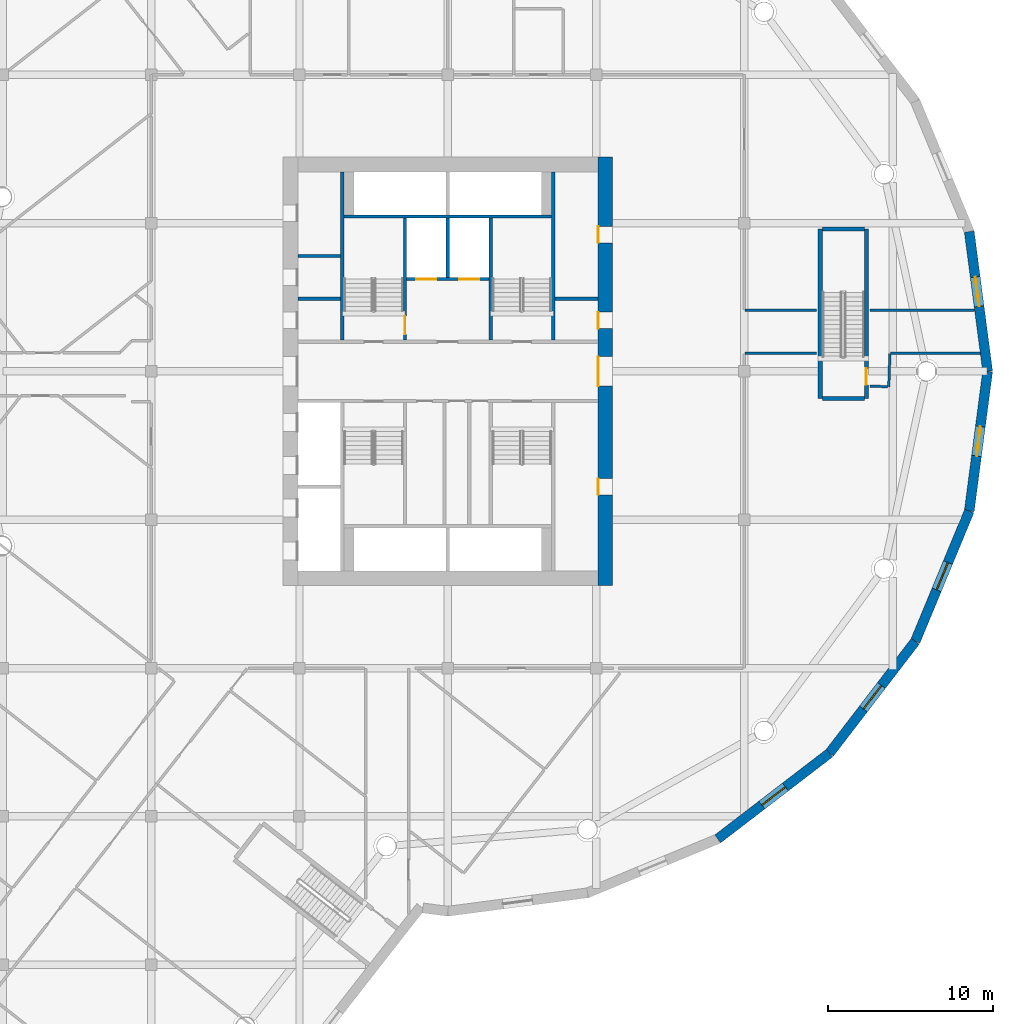
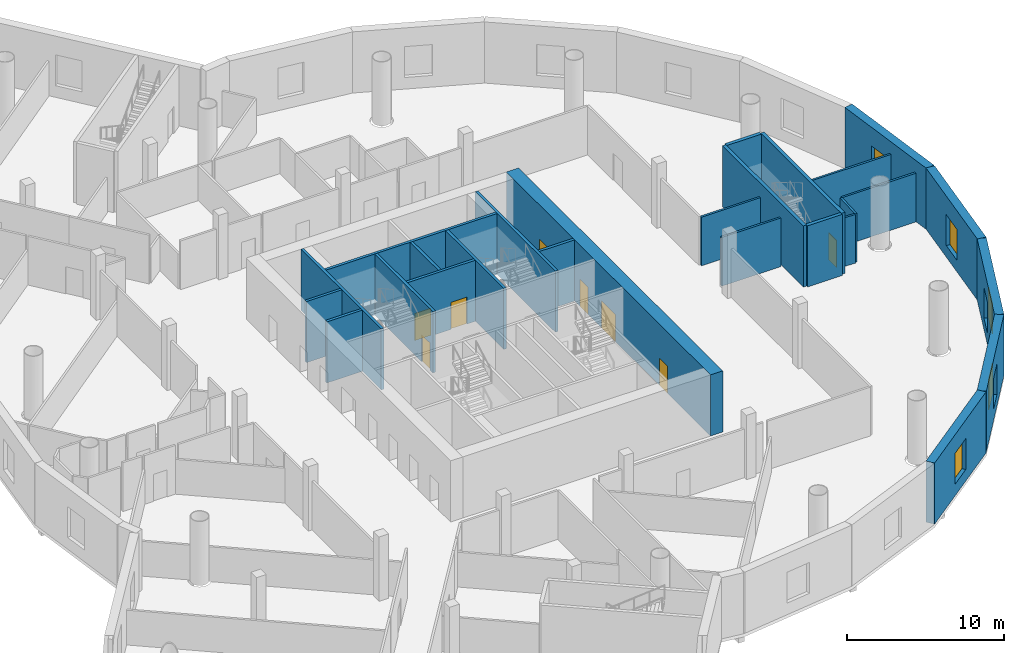
# One storey, part 8 of 22: 26 walls, 8 doors, 5 windows, 13 openings.
"""IFC4 building model written with IfcOpenShell, lengths in metres."""

import ifcopenshell
import ifcopenshell.guid

model = None  # the IFC model being written
_history = None  # IfcOwnerHistory: only IFC2X3 demands one
_inside = {}  # id of a spatial element -> (the spatial element, [elements in it])
_under = {}  # id of a project, library or spatial element -> (it, [spatial elements below it])
_declared = {}  # id of a project -> (the project, [libraries it declares])
_typed = {}  # id of a type object -> (the type object, [elements of that type])
_made_of = {}  # id of a material, layer set ... -> (it, [elements and type objects made of it])


def new_model(schema):
    """Start an empty IFC model of exactly this schema.

    Asked for "IFC4X3", IfcOpenShell would pick the latest addendum, in which some entities
    have other attributes; the version numbers below select the first issue.
    IFC2X3 requires an IfcOwnerHistory on every rooted entity: one is made here for all.
    """
    global model, _history
    if schema == "IFC4X3":
        model = ifcopenshell.file(schema_version=(4, 3, 0, 0))
    else:
        model = ifcopenshell.file(schema=schema)
    _inside.clear()
    _under.clear()
    _declared.clear()
    _typed.clear()
    _made_of.clear()
    _history = None
    if model.schema == "IFC2X3":
        org = make("IfcOrganization", Name="unknown")
        user = make(
            "IfcPersonAndOrganization",
            ThePerson=make("IfcPerson", FamilyName="unknown"),
            TheOrganization=org,
        )
        app = make(
            "IfcApplication",
            ApplicationDeveloper=org,
            Version="unknown",
            ApplicationFullName="unknown",
            ApplicationIdentifier="unknown",
        )
        _history = make(
            "IfcOwnerHistory",
            OwningUser=user,
            OwningApplication=app,
            ChangeAction="ADDED",
            CreationDate=0,
        )
    return model


def make(cls, **values):
    """One entity of the class cls with the attributes given. An attribute that is None is left unset."""
    return model.create_entity(
        cls, **{name: value for name, value in values.items() if value is not None}
    )


def rooted(cls, **values):
    """An entity with a GlobalId (a new one), such as an element, a storey or a relation."""
    return make(cls, GlobalId=ifcopenshell.guid.new(), OwnerHistory=_history, **values)


def si_unit(unit_type, name, prefix=None):
    """IfcSIUnit, for example si_unit("LENGTHUNIT", "METRE", prefix="MILLI")."""
    return make("IfcSIUnit", UnitType=unit_type, Prefix=prefix, Name=name)


def assignment(units):
    """IfcUnitAssignment: the units of a project."""
    return None if units is None else make("IfcUnitAssignment", Units=units)


def point(xyz):
    """IfcCartesianPoint."""
    return None if xyz is None else make("IfcCartesianPoint", Coordinates=xyz)


def direction(xyz):
    """IfcDirection."""
    return None if xyz is None else make("IfcDirection", DirectionRatios=xyz)


def frame(location, z_axis=None, x_axis=None):
    """IfcAxis2Placement3D, a coordinate frame: its origin and axes. An axis left out is left unset."""
    return make(
        "IfcAxis2Placement3D",
        Location=point(location),
        Axis=direction(z_axis),
        RefDirection=direction(x_axis),
    )


def frame_2d(location, x_axis=None):
    """IfcAxis2Placement2D, a coordinate frame in the plane: its origin and x axis."""
    return make(
        "IfcAxis2Placement2D", Location=point(location), RefDirection=direction(x_axis)
    )


def origin():
    """The frame at (0, 0, 0) with its axes left unset."""
    return frame((0.0, 0.0, 0.0))


def place(relative_to, where):
    """IfcLocalPlacement: puts the frame where relative to a parent placement (None: the world)."""
    return make(
        "IfcLocalPlacement", PlacementRelTo=relative_to, RelativePlacement=where
    )


def context(
    kind, dimensions, precision=None, world=None, true_north=None, identifier=None
):
    """IfcGeometricRepresentationContext, for example the 3D "Model" context."""
    return make(
        "IfcGeometricRepresentationContext",
        ContextIdentifier=identifier,
        ContextType=kind,
        CoordinateSpaceDimension=dimensions,
        Precision=precision,
        WorldCoordinateSystem=world,
        TrueNorth=true_north,
    )


def subcontext(parent, identifier, kind, view, scale=None):
    """IfcGeometricRepresentationSubContext, for example "Body" below "Model"."""
    return make(
        "IfcGeometricRepresentationSubContext",
        ContextIdentifier=identifier,
        ContextType=kind,
        ParentContext=parent,
        TargetScale=scale,
        TargetView=view,
    )


def project(units=None, contexts=None):
    """IfcProject with its units and contexts."""
    return rooted(
        "IfcProject",
        Name="project",
        RepresentationContexts=contexts,
        UnitsInContext=assignment(units),
    )


def spatial(cls, under=None, at=None, **own):
    """A site, building, storey or space (cls), placed at a placement, below another one or the project."""
    s = rooted(cls, ObjectPlacement=at, **own)
    if under is not None:
        _under.setdefault(under.id(), (under, []))[1].append(s)
    return s


def profile(cls, at=None, kind="AREA", **sizes):
    """A parametric profile (cls). Its sizes go by their IFC names, for example OverallWidth=200.0."""
    return make(cls, ProfileType=kind, Position=at, **sizes)


def rectangle(**sizes):
    """IfcRectangleProfileDef."""
    return profile("IfcRectangleProfileDef", **sizes)


def extrude(swept, where, along, depth):
    """IfcExtrudedAreaSolid: the profile swept, set in the frame where, extruded along a direction by depth."""
    return make(
        "IfcExtrudedAreaSolid",
        SweptArea=swept,
        Position=where,
        ExtrudedDirection=direction(along),
        Depth=depth,
    )


def shape(context_of_items, identifier, shape_type, items):
    """IfcShapeRepresentation: the items that make up one representation, for example the "Body"."""
    return make(
        "IfcShapeRepresentation",
        ContextOfItems=context_of_items,
        RepresentationIdentifier=identifier,
        RepresentationType=shape_type,
        Items=items,
    )


def material(Name=None, Category=None):
    """IfcMaterial."""
    return make("IfcMaterial", Name=Name, Category=Category)


def layer(
    of_material, thickness, ventilated=None, Name=None, Category=None, Priority=None
):
    """IfcMaterialLayer: one layer of a wall or slab, of a material (None: an air gap)."""
    return make(
        "IfcMaterialLayer",
        Material=of_material,
        LayerThickness=thickness,
        IsVentilated=ventilated,
        Name=Name,
        Category=Category,
        Priority=Priority,
    )


def layer_set(layers, Name=None):
    """IfcMaterialLayerSet."""
    return make("IfcMaterialLayerSet", MaterialLayers=layers, LayerSetName=Name)


def made_of(thing, what):
    """Note that an element or type object is made of a material, layer set ...; save() writes the relation."""
    if what is not None:
        _made_of.setdefault(what.id(), (what, []))[1].append(thing)
    return thing


def type_object(cls, material=None, **own):
    """A type object (cls), such as IfcWallType, which elements share."""
    return made_of(rooted(cls, **own), material)


def element(
    cls,
    number,
    at=None,
    inside=None,
    cuts=None,
    type_object=None,
    material=None,
    context=None,
    identifier="Body",
    shape_type=None,
    held_by="IfcProductDefinitionShape",
    body=None,
    shapes=None,
    **own,
):
    """One element of the class cls, such as IfcWall. Its Tag is "e" and its number.

    at: its placement. inside: the storey or other place that contains it. cuts: it is an
    opening in that element (IfcRelVoidsElement). A single representation is given by context,
    identifier, shape_type and body (its items); several are given by shapes. held_by: the class
    of the entity that holds the representations. save() writes the other relations.
    """
    e = rooted(cls, Tag="e%d" % number, ObjectPlacement=at, **own)
    if body is not None:
        shapes = [shape(context, identifier, shape_type, body)]
    if shapes is not None:
        e.Representation = make(held_by, Representations=shapes)
    if inside is not None:
        _inside.setdefault(inside.id(), (inside, []))[1].append(e)
    if cuts is not None:
        rooted(
            "IfcRelVoidsElement", RelatingBuildingElement=cuts, RelatedOpeningElement=e
        )
    if type_object is not None:
        _typed.setdefault(type_object.id(), (type_object, []))[1].append(e)
    return made_of(e, material)


def fill(opening, filler):
    """IfcRelFillsElement: the door or window that sits in an opening."""
    return rooted(
        "IfcRelFillsElement",
        RelatingOpeningElement=opening,
        RelatedBuildingElement=filler,
    )


def aggregate(whole, parts):
    """IfcRelAggregates: a whole, such as a stair, and the parts it consists of."""
    return rooted("IfcRelAggregates", RelatingObject=whole, RelatedObjects=parts)


def save(model, path):
    """Write the relations noted so far, then the file.

    IfcRelAggregates (storeys below a building ...), IfcRelContainedInSpatialStructure (elements
    in a storey), IfcRelDefinesByType, IfcRelAssociatesMaterial and IfcRelDeclares: one each for
    every whole, place, type object, material and project.
    """
    for whole, parts in _under.values():
        aggregate(whole, parts)
    for where, things in _inside.values():
        rooted(
            "IfcRelContainedInSpatialStructure",
            RelatedElements=things,
            RelatingStructure=where,
        )
    for kind, things in _typed.values():
        rooted("IfcRelDefinesByType", RelatedObjects=things, RelatingType=kind)
    for what, things in _made_of.values():
        rooted("IfcRelAssociatesMaterial", RelatedObjects=things, RelatingMaterial=what)
    for by, libraries in _declared.values():
        rooted("IfcRelDeclares", RelatingContext=by, RelatedDefinitions=libraries)
    model.write(path)


model = new_model("IFC4")

# Units and contexts
model_context = context("Model", 3, precision=1e-05, world=origin(), true_north=direction((0.0, 1.0)))
body_context = subcontext(model_context, "Body", "Model", "MODEL_VIEW")
ifc_project = project(units=[si_unit("LENGTHUNIT", "METRE"), si_unit("AREAUNIT", "SQUARE_METRE"), si_unit("VOLUMEUNIT", "CUBIC_METRE"), si_unit("PLANEANGLEUNIT", "RADIAN"), si_unit("MASSUNIT", "GRAM", prefix="KILO")], contexts=[model_context])

# Site, building, storey
site_placement = place(None, origin())
site = spatial("IfcSite", under=ifc_project, at=site_placement, CompositionType="ELEMENT")
building_placement = place(site_placement, origin())
building = spatial("IfcBuilding", under=site, at=building_placement, Name="Tarsis Ring Headquarters", CompositionType="ELEMENT")
storey_placement = place(building_placement, frame((0.0, 0.0, 25.0)))
storey = spatial("IfcBuildingStorey", under=building, at=storey_placement, Name="L04", CompositionType="ELEMENT", Elevation=25.0)

# Walls
ifc_material_1 = material(Name="Blockwork", Category="masonry")
ifc_layer_1 = layer(ifc_material_1, 0.199951171875)
ifc_layer_set_1 = layer_set([ifc_layer_1], Name="Core blockwork wall 200")
wall_type_1 = type_object("IfcWallType", Name="Core blockwork wall 200", PredefinedType="PARTITIONING", material=ifc_layer_set_1)
for number, where, z_axis, x_axis, name in (
    (1, (-9.10009765625, 4.39990234375, 0.0), (0.0, 0.0, 1.0), (1.0, 0.0, 0.0), "Core partition WD5"),
    (2, (-9.10009765625, 7.0, 0.0), (0.0, 0.0, 1.0), (1.0, 0.0, 0.0), "Core partition WD6"),
    (3, (6.5, 4.39990234375, 0.0), (0.0, 0.0, 1.0), (1.0, 0.0, 0.0), "Core partition ED5"),
):
    element("IfcWall", number, at=place(storey_placement, frame(where, z_axis=z_axis, x_axis=x_axis)), inside=storey, type_object=wall_type_1, Name=name, PredefinedType="PARTITIONING", context=body_context, shape_type="SweptSolid", body=[
        extrude(rectangle(XDim=2.60009765625, YDim=0.199951171875, at=frame_2d((1.300048828125, 0.0))), origin(), (0.0, 0.0, 1.0), 4.75),
    ])

# Wall, openings, doors
ifc_material_2 = material(Name="Concrete C60/75", Category="concrete")
ifc_layer_2 = layer(ifc_material_2, 0.89990234375)
ifc_layer_set_2 = layer_set([ifc_layer_2], Name="Core wall 900 C60/75")
wall_type_2 = type_object("IfcWallType", Name="Core wall 900 C60/75", PredefinedType="SHEAR", material=ifc_layer_set_2)
wall_1_placement = place(storey_placement, frame((9.550048828125, -13.0, 0.0), z_axis=(0.0, 0.0, 1.0), x_axis=(0.0, 1.0, 0.0)))
wall_1 = element("IfcWall", 4, at=wall_1_placement, inside=storey, type_object=wall_type_2, Name="Core wall OE", PredefinedType="SHEAR", context=body_context, shape_type="SweptSolid", body=[
    extrude(rectangle(XDim=26.0, YDim=0.89990234375, at=frame_2d((13.0, 0.0))), origin(), (0.0, 0.0, 1.0), 4.75),
])
opening_1_placement = place(wall_1_placement, frame((5.5, 0.0, 0.0)))
opening_1 = element("IfcOpeningElement", 5, at=opening_1_placement, cuts=wall_1, Name="Opening L04-C09", PredefinedType="OPENING", context=body_context, shape_type="SweptSolid", body=[
    extrude(rectangle(XDim=1.0, YDim=2.10009765625, at=frame_2d((0.5, 1.050048828125))), frame((0.0, 0.4599609375, 0.0), z_axis=(0.0, -1.0, 0.0), x_axis=(1.0, 0.0, 0.0)), (0.0, 0.0, 1.0), 0.919921875),
])
opening_2_placement = place(wall_1_placement, frame((12.10009765625, 0.0, 0.0)))
opening_2 = element("IfcOpeningElement", 6, at=opening_2_placement, cuts=wall_1, Name="Opening L04-C10", PredefinedType="OPENING", context=body_context, shape_type="SweptSolid", body=[
    extrude(rectangle(XDim=1.800048828125, YDim=2.10009765625, at=frame_2d((0.89990234375, 1.050048828125))), frame((0.0, 0.4599609375, 0.0), z_axis=(0.0, -1.0, 0.0), x_axis=(1.0, 0.0, 0.0)), (0.0, 0.0, 1.0), 0.919921875),
])
opening_3_placement = place(wall_1_placement, frame((15.60009765625, 0.0, 0.0)))
opening_3 = element("IfcOpeningElement", 7, at=opening_3_placement, cuts=wall_1, Name="Opening L04-C11", PredefinedType="OPENING", context=body_context, shape_type="SweptSolid", body=[
    extrude(rectangle(XDim=1.0, YDim=2.10009765625, at=frame_2d((0.5, 1.050048828125))), frame((0.0, 0.4599609375, 0.0), z_axis=(0.0, -1.0, 0.0), x_axis=(1.0, 0.0, 0.0)), (0.0, 0.0, 1.0), 0.919921875),
])
opening_4_placement = place(wall_1_placement, frame((20.800048828125, 0.0, 0.0)))
opening_4 = element("IfcOpeningElement", 8, at=opening_4_placement, cuts=wall_1, Name="Opening L04-C12", PredefinedType="OPENING", context=body_context, shape_type="SweptSolid", body=[
    extrude(rectangle(XDim=1.0, YDim=2.10009765625, at=frame_2d((0.5, 1.050048828125))), frame((0.0, 0.4599609375, 0.0), z_axis=(0.0, -1.0, 0.0), x_axis=(1.0, 0.0, 0.0)), (0.0, 0.0, 1.0), 0.919921875),
])
ifc_material_3 = material(Name="Steel S355", Category="steel")
door_type_1 = type_object("IfcDoorType", Name="Core entry door 1800x2100", OperationType="DOUBLE_DOOR_SINGLE_SWING", PredefinedType="DOOR", material=ifc_material_3)
door_1_placement = place(opening_2_placement, origin())
door_1 = element("IfcDoor", 9, at=door_1_placement, inside=storey, type_object=door_type_1, Name="Core entry door L04", OperationType="DOUBLE_DOOR_SINGLE_SWING", OverallHeight=2.10009765625, OverallWidth=1.800048828125, PredefinedType="DOOR", context=body_context, shape_type="SweptSolid", body=[
    extrude(rectangle(XDim=1.800048828125, YDim=2.10009765625, at=frame_2d((0.89990234375, 1.050048828125))), frame((0.0, 0.4501953125, 0.0), z_axis=(0.0, -1.0, 0.0), x_axis=(1.0, 0.0, 0.0)), (0.0, 0.0, 1.0), 0.050048828125),
])
fill(opening_2, door_1)
door_type_2 = type_object("IfcDoorType", Name="Core room door 1000x2100", OperationType="SINGLE_SWING_LEFT", PredefinedType="DOOR", material=ifc_material_3)
door_2_placement = place(opening_1_placement, origin())
door_2 = element("IfcDoor", 10, at=door_2_placement, inside=storey, type_object=door_type_2, Name="Core room door L04", OperationType="SINGLE_SWING_LEFT", OverallHeight=2.10009765625, OverallWidth=1.0, PredefinedType="DOOR", context=body_context, shape_type="SweptSolid", body=[
    extrude(rectangle(XDim=1.0, YDim=2.10009765625, at=frame_2d((0.5, 1.050048828125))), frame((0.0, 0.4501953125, 0.0), z_axis=(0.0, -1.0, 0.0), x_axis=(1.0, 0.0, 0.0)), (0.0, 0.0, 1.0), 0.050048828125),
])
fill(opening_1, door_2)
door_3_placement = place(opening_3_placement, origin())
door_3 = element("IfcDoor", 11, at=door_3_placement, inside=storey, type_object=door_type_2, Name="Core room door L04", OperationType="SINGLE_SWING_LEFT", OverallHeight=2.10009765625, OverallWidth=1.0, PredefinedType="DOOR", context=body_context, shape_type="SweptSolid", body=[
    extrude(rectangle(XDim=1.0, YDim=2.10009765625, at=frame_2d((0.5, 1.050048828125))), frame((0.0, 0.4501953125, 0.0), z_axis=(0.0, -1.0, 0.0), x_axis=(1.0, 0.0, 0.0)), (0.0, 0.0, 1.0), 0.050048828125),
])
fill(opening_3, door_3)
door_4_placement = place(opening_4_placement, origin())
door_4 = element("IfcDoor", 12, at=door_4_placement, inside=storey, type_object=door_type_2, Name="Core room door L04", OperationType="SINGLE_SWING_LEFT", OverallHeight=2.10009765625, OverallWidth=1.0, PredefinedType="DOOR", context=body_context, shape_type="SweptSolid", body=[
    extrude(rectangle(XDim=1.0, YDim=2.10009765625, at=frame_2d((0.5, 1.050048828125))), frame((0.0, 0.4501953125, 0.0), z_axis=(0.0, -1.0, 0.0), x_axis=(1.0, 0.0, 0.0)), (0.0, 0.0, 1.0), 0.050048828125),
])
fill(opening_4, door_4)

# Walls
ifc_material_4 = material(Name="Plasterboard partition")
ifc_layer_3 = layer(ifc_material_4, 0.14990234375)
ifc_layer_set_3 = layer_set([ifc_layer_3], Name="PO-PW150R-3783")
wall_type_3 = type_object("IfcWallType", Name="PO-PW150R-3783", PredefinedType="PARTITIONING", material=ifc_layer_set_3)
wall_2_placement = place(storey_placement, frame((25.625, 3.7119140625, 0.0), z_axis=(0.0, 0.0, 1.0), x_axis=(1.0, 0.0, 0.0)))
element("IfcWall", 13, at=wall_2_placement, inside=storey, type_object=wall_type_3, Name="L04 partition wall 52", PredefinedType="PARTITIONING", context=body_context, shape_type="SweptSolid", body=[
    extrude(rectangle(XDim=6.341552734375, YDim=0.14990234375, at=frame_2d((3.1708984375, 0.0))), origin(), (0.0, 0.0, 1.0), 3.782958984375),
])
wall_3_placement = place(storey_placement, frame((32.30908203125, 1.110107421875, 0.0), z_axis=(0.0, 0.0, 1.0), x_axis=(-1.0, 0.0, 0.0)))
element("IfcWall", 14, at=wall_3_placement, inside=storey, type_object=wall_type_3, Name="L04 partition wall 64", PredefinedType="PARTITIONING", context=body_context, shape_type="SweptSolid", body=[
    extrude(rectangle(XDim=5.442626953125, YDim=0.14990234375, at=frame_2d((2.72119140625, 0.0))), origin(), (0.0, 0.0, 1.0), 3.782958984375),
])
for number, where, z_axis, x_axis, name in (
    (15, (18.0400390625, 3.7119140625, 0.0), (0.0, 0.0, 1.0), (1.0, 0.0, 0.0), "L04 partition wall 73"),
    (16, (22.375, 1.110107421875, 0.0), (0.0, 0.0, 1.0), (-1.0, 0.0, 0.0), "L04 partition wall 74"),
):
    element("IfcWall", number, at=place(storey_placement, frame(where, z_axis=z_axis, x_axis=x_axis)), inside=storey, type_object=wall_type_3, Name=name, PredefinedType="PARTITIONING", context=body_context, shape_type="SweptSolid", body=[
        extrude(rectangle(XDim=4.3349609375, YDim=0.14990234375, at=frame_2d((2.16748046875, 0.0))), origin(), (0.0, 0.0, 1.0), 3.782958984375),
    ])
wall_4_placement = place(storey_placement, frame((26.824462890625, 1.070068359375, 0.0), z_axis=(0.0, 0.0, 1.0), x_axis=(-0.032904986071, -0.999458484326, 0.0)))
element("IfcWall", 17, at=wall_4_placement, inside=storey, type_object=wall_type_3, Name="L04 partition wall 115", PredefinedType="PARTITIONING", context=body_context, shape_type="SweptSolid", body=[
    extrude(rectangle(XDim=2.003173828125, YDim=0.14990234375, at=frame_2d((1.00146484375, 0.0))), origin(), (0.0, 0.0, 1.0), 3.782958984375),
])
wall_5_placement = place(storey_placement, frame((26.6787109375, -0.929443359375, 0.0), z_axis=(0.0, 0.0, 1.0), x_axis=(-0.99945920656, 0.03288304155, 0.0)))
element("IfcWall", 18, at=wall_5_placement, inside=storey, type_object=wall_type_3, Name="L04 partition wall 137", PredefinedType="PARTITIONING", context=body_context, shape_type="SweptSolid", body=[
    extrude(rectangle(XDim=1.05419921875, YDim=0.14990234375, at=frame_2d((0.527099609375, 0.0))), origin(), (0.0, 0.0, 1.0), 3.782958984375),
])
ifc_material_5 = material(Name="Concrete C40/50", Category="concrete")
ifc_layer_4 = layer(ifc_material_5, 0.25)
ifc_layer_set_4 = layer_set([ifc_layer_4], Name="PO-W250")
wall_type_4 = type_object("IfcWallType", Name="PO-W250", PredefinedType="SOLIDWALL", material=ifc_layer_set_4)
wall_6_placement = place(storey_placement, frame((22.60009765625, -1.64501953125, 0.0), z_axis=(0.0, 0.0, 1.0), x_axis=(0.0, 1.0, 0.0)))
element("IfcWall", 19, at=wall_6_placement, inside=storey, type_object=wall_type_4, Name="L04 shaft wall 25", PredefinedType="SOLIDWALL", context=body_context, shape_type="SweptSolid", body=[
    extrude(rectangle(XDim=10.2900390625, YDim=0.25, at=frame_2d((5.14501953125, 0.0))), origin(), (0.0, 0.0, 1.0), 4.75),
])

# Wall, opening, door
wall_7_placement = place(storey_placement, frame((25.39990234375, 8.64501953125, 0.0), z_axis=(0.0, 0.0, 1.0), x_axis=(0.0, -1.0, 0.0)))
wall_7 = element("IfcWall", 20, at=wall_7_placement, inside=storey, type_object=wall_type_4, Name="L04 shaft wall 26", PredefinedType="SOLIDWALL", context=body_context, shape_type="SweptSolid", body=[
    extrude(rectangle(XDim=10.2900390625, YDim=0.25, at=frame_2d((5.14501953125, 0.0))), origin(), (0.0, 0.0, 1.0), 4.75),
])
opening_5_placement = place(wall_7_placement, frame((8.465087890625, 0.0, 0.0)))
opening_5 = element("IfcOpeningElement", 21, at=opening_5_placement, cuts=wall_7, Name="Opening PO-D3", PredefinedType="OPENING", context=body_context, shape_type="SweptSolid", body=[
    extrude(rectangle(XDim=1.0, YDim=2.10009765625, at=frame_2d((0.5, 1.050048828125))), frame((0.0, 0.135009765625, 0.0), z_axis=(0.0, -1.0, 0.0), x_axis=(1.0, 0.0, 0.0)), (0.0, 0.0, 1.0), 0.27001953125),
])
ifc_material_6 = material(Name="Steel fire door", Category="steel")
door_type_3 = type_object("IfcDoorType", Name="PO-D1000F", OperationType="SINGLE_SWING_LEFT", PredefinedType="DOOR", material=ifc_material_6)
door_5_placement = place(opening_5_placement, origin())
door_5 = element("IfcDoor", 22, at=door_5_placement, inside=storey, type_object=door_type_3, Name="Exit stair 1 door", OperationType="SINGLE_SWING_LEFT", OverallHeight=2.10009765625, OverallWidth=1.0, PredefinedType="DOOR", context=body_context, shape_type="SweptSolid", body=[
    extrude(rectangle(XDim=1.0, YDim=2.10009765625, at=frame_2d((0.5, 1.050048828125))), frame((0.0, 0.02490234375, 0.0), z_axis=(0.0, -1.0, 0.0), x_axis=(1.0, 0.0, 0.0)), (0.0, 0.0, 1.0), 0.050048828125),
])
fill(opening_5, door_5)

# Walls
for number, where, z_axis, x_axis, name in (
    (23, (25.27001953125, -1.64501953125, 0.0), (0.0, 0.0, 1.0), (-1.0, 0.0, 0.0), "L04 shaft wall 91"),
    (24, (22.72998046875, 8.64501953125, 0.0), (0.0, 0.0, 1.0), (1.0, 0.0, 0.0), "L04 shaft wall 92"),
):
    element("IfcWall", number, at=place(storey_placement, frame(where, z_axis=z_axis, x_axis=x_axis)), inside=storey, type_object=wall_type_4, Name=name, PredefinedType="SOLIDWALL", context=body_context, shape_type="SweptSolid", body=[
        extrude(rectangle(XDim=2.5400390625, YDim=0.25, at=frame_2d((1.27001953125, 0.0))), origin(), (0.0, 0.0, 1.0), 4.75),
    ])

# Wall, opening, window
ifc_layer_5 = layer(ifc_material_2, 0.60009765625)
ifc_layer_set_5 = layer_set([ifc_layer_5], Name="PO-W600")
wall_type_5 = type_object("IfcWallType", Name="PO-W600", PredefinedType="SOLIDWALL", material=ifc_layer_set_5)
wall_8_placement = place(storey_placement, frame((16.37890625, -28.369140625, 0.0), z_axis=(0.0, 0.0, 1.0), x_axis=(0.793356782778, 0.608756942646, 0.0)))
wall_8 = element("IfcWall", 25, at=wall_8_placement, inside=storey, type_object=wall_type_5, Name="L04 external wall 12", PredefinedType="SOLIDWALL", context=body_context, shape_type="SweptSolid", body=[
    extrude(rectangle(XDim=8.551513671875, YDim=0.60009765625, at=frame_2d((4.27587890625, 0.0))), origin(), (0.0, 0.0, 1.0), 4.75),
])
opening_6_placement = place(wall_8_placement, frame((3.375732421875, 0.0, 0.89990234375)))
opening_6 = element("IfcOpeningElement", 26, at=opening_6_placement, cuts=wall_8, Name="Opening PO-WN1", PredefinedType="OPENING", context=body_context, shape_type="SweptSolid", body=[
    extrude(rectangle(XDim=1.800048828125, YDim=2.39990234375, at=frame_2d((0.89990234375, 1.199951171875))), frame((0.0, 0.31005859375, 0.0), z_axis=(0.0, -1.0, 0.0), x_axis=(1.0, 0.0, 0.0)), (0.0, 0.0, 1.0), 0.6201171875),
])
ifc_material_7 = material(Name="Double glazing", Category="glass")
window_type = type_object("IfcWindowType", Name="PO-WN1800", PartitioningType="SINGLE_PANEL", PredefinedType="WINDOW", material=ifc_material_7)
window_1_placement = place(opening_6_placement, origin())
window_1 = element("IfcWindow", 27, at=window_1_placement, inside=storey, type_object=window_type, Name="L04 window 12.1", OverallHeight=2.39990234375, OverallWidth=1.800048828125, PartitioningType="SINGLE_PANEL", PredefinedType="WINDOW", context=body_context, shape_type="SweptSolid", body=[
    extrude(rectangle(XDim=1.800048828125, YDim=2.39990234375, at=frame_2d((0.89990234375, 1.199951171875))), frame((0.0, 0.030029296875, 0.0), z_axis=(0.0, -1.0, 0.0), x_axis=(1.0, 0.0, 0.0)), (0.0, 0.0, 1.0), 0.06005859375),
])
fill(opening_6, window_1)

wall_9_placement = place(storey_placement, frame((23.163330078125, -23.163330078125, 0.0), z_axis=(0.0, 0.0, 1.0), x_axis=(0.608756942646, 0.793356782778, 0.0)))
wall_9 = element("IfcWall", 28, at=wall_9_placement, inside=storey, type_object=wall_type_5, Name="L04 external wall 13", PredefinedType="SOLIDWALL", context=body_context, shape_type="SweptSolid", body=[
    extrude(rectangle(XDim=8.551513671875, YDim=0.60009765625, at=frame_2d((4.27587890625, 0.0))), origin(), (0.0, 0.0, 1.0), 4.75),
])
opening_7_placement = place(wall_9_placement, frame((3.375732421875, 0.0, 0.89990234375)))
opening_7 = element("IfcOpeningElement", 29, at=opening_7_placement, cuts=wall_9, Name="Opening PO-WN1", PredefinedType="OPENING", context=body_context, shape_type="SweptSolid", body=[
    extrude(rectangle(XDim=1.800048828125, YDim=2.39990234375, at=frame_2d((0.89990234375, 1.199951171875))), frame((0.0, 0.31005859375, 0.0), z_axis=(0.0, -1.0, 0.0), x_axis=(1.0, 0.0, 0.0)), (0.0, 0.0, 1.0), 0.6201171875),
])
window_2_placement = place(opening_7_placement, origin())
window_2 = element("IfcWindow", 30, at=window_2_placement, inside=storey, type_object=window_type, Name="L04 window 13.1", OverallHeight=2.39990234375, OverallWidth=1.800048828125, PartitioningType="SINGLE_PANEL", PredefinedType="WINDOW", context=body_context, shape_type="SweptSolid", body=[
    extrude(rectangle(XDim=1.800048828125, YDim=2.39990234375, at=frame_2d((0.89990234375, 1.199951171875))), frame((0.0, 0.030029296875, 0.0), z_axis=(0.0, -1.0, 0.0), x_axis=(1.0, 0.0, 0.0)), (0.0, 0.0, 1.0), 0.06005859375),
])
fill(opening_7, window_2)

wall_10_placement = place(storey_placement, frame((28.369140625, -16.37890625, 0.0), z_axis=(0.0, 0.0, 1.0), x_axis=(0.382674535665, 0.923883217595, 0.0)))
wall_10 = element("IfcWall", 31, at=wall_10_placement, inside=storey, type_object=wall_type_5, Name="L04 external wall 14", PredefinedType="SOLIDWALL", context=body_context, shape_type="SweptSolid", body=[
    extrude(rectangle(XDim=8.551513671875, YDim=0.60009765625, at=frame_2d((4.27587890625, 0.0))), origin(), (0.0, 0.0, 1.0), 4.75),
])
opening_8_placement = place(wall_10_placement, frame((3.375732421875, 0.0, 0.89990234375)))
opening_8 = element("IfcOpeningElement", 32, at=opening_8_placement, cuts=wall_10, Name="Opening PO-WN1", PredefinedType="OPENING", context=body_context, shape_type="SweptSolid", body=[
    extrude(rectangle(XDim=1.800048828125, YDim=2.39990234375, at=frame_2d((0.89990234375, 1.199951171875))), frame((0.0, 0.31005859375, 0.0), z_axis=(0.0, -1.0, 0.0), x_axis=(1.0, 0.0, 0.0)), (0.0, 0.0, 1.0), 0.6201171875),
])
window_3_placement = place(opening_8_placement, origin())
window_3 = element("IfcWindow", 33, at=window_3_placement, inside=storey, type_object=window_type, Name="L04 window 14.1", OverallHeight=2.39990234375, OverallWidth=1.800048828125, PartitioningType="SINGLE_PANEL", PredefinedType="WINDOW", context=body_context, shape_type="SweptSolid", body=[
    extrude(rectangle(XDim=1.800048828125, YDim=2.39990234375, at=frame_2d((0.89990234375, 1.199951171875))), frame((0.0, 0.030029296875, 0.0), z_axis=(0.0, -1.0, 0.0), x_axis=(1.0, 0.0, 0.0)), (0.0, 0.0, 1.0), 0.06005859375),
])
fill(opening_8, window_3)

wall_11_placement = place(storey_placement, frame((31.6416015625, -8.478271484375, 0.0), z_axis=(0.0, 0.0, 1.0), x_axis=(0.130529102837, 0.991444478179, 0.0)))
wall_11 = element("IfcWall", 34, at=wall_11_placement, inside=storey, type_object=wall_type_5, Name="L04 external wall 15", PredefinedType="SOLIDWALL", context=body_context, shape_type="SweptSolid", body=[
    extrude(rectangle(XDim=8.551513671875, YDim=0.60009765625, at=frame_2d((4.27587890625, 0.0))), origin(), (0.0, 0.0, 1.0), 4.75),
])
opening_9_placement = place(wall_11_placement, frame((3.375732421875, 0.0, 0.89990234375)))
opening_9 = element("IfcOpeningElement", 35, at=opening_9_placement, cuts=wall_11, Name="Opening PO-WN1", PredefinedType="OPENING", context=body_context, shape_type="SweptSolid", body=[
    extrude(rectangle(XDim=1.800048828125, YDim=2.39990234375, at=frame_2d((0.89990234375, 1.199951171875))), frame((0.0, 0.31005859375, 0.0), z_axis=(0.0, -1.0, 0.0), x_axis=(1.0, 0.0, 0.0)), (0.0, 0.0, 1.0), 0.6201171875),
])
window_4_placement = place(opening_9_placement, origin())
window_4 = element("IfcWindow", 36, at=window_4_placement, inside=storey, type_object=window_type, Name="L04 window 15.1", OverallHeight=2.39990234375, OverallWidth=1.800048828125, PartitioningType="SINGLE_PANEL", PredefinedType="WINDOW", context=body_context, shape_type="SweptSolid", body=[
    extrude(rectangle(XDim=1.800048828125, YDim=2.39990234375, at=frame_2d((0.89990234375, 1.199951171875))), frame((0.0, 0.030029296875, 0.0), z_axis=(0.0, -1.0, 0.0), x_axis=(1.0, 0.0, 0.0)), (0.0, 0.0, 1.0), 0.06005859375),
])
fill(opening_9, window_4)

wall_12_placement = place(storey_placement, frame((32.7578125, 0.0, 0.0), z_axis=(0.0, 0.0, 1.0), x_axis=(-0.130529102837, 0.991444478179, 0.0)))
wall_12 = element("IfcWall", 37, at=wall_12_placement, inside=storey, type_object=wall_type_5, Name="L04 external wall 16", PredefinedType="SOLIDWALL", context=body_context, shape_type="SweptSolid", body=[
    extrude(rectangle(XDim=8.551513671875, YDim=0.60009765625, at=frame_2d((4.27587890625, 0.0))), origin(), (0.0, 0.0, 1.0), 4.75),
])
opening_10_placement = place(wall_12_placement, frame((3.975830078125, 0.0, 0.89990234375)))
opening_10 = element("IfcOpeningElement", 38, at=opening_10_placement, cuts=wall_12, Name="Opening PO-WN1", PredefinedType="OPENING", context=body_context, shape_type="SweptSolid", body=[
    extrude(rectangle(XDim=1.800048828125, YDim=2.39990234375, at=frame_2d((0.89990234375, 1.199951171875))), frame((0.0, 0.31005859375, 0.0), z_axis=(0.0, -1.0, 0.0), x_axis=(1.0, 0.0, 0.0)), (0.0, 0.0, 1.0), 0.6201171875),
])
window_5_placement = place(opening_10_placement, origin())
window_5 = element("IfcWindow", 39, at=window_5_placement, inside=storey, type_object=window_type, Name="L04 window 16.1", OverallHeight=2.39990234375, OverallWidth=1.800048828125, PartitioningType="SINGLE_PANEL", PredefinedType="WINDOW", context=body_context, shape_type="SweptSolid", body=[
    extrude(rectangle(XDim=1.800048828125, YDim=2.39990234375, at=frame_2d((0.89990234375, 1.199951171875))), frame((0.0, 0.030029296875, 0.0), z_axis=(0.0, -1.0, 0.0), x_axis=(1.0, 0.0, 0.0)), (0.0, 0.0, 1.0), 0.06005859375),
])
fill(opening_10, window_5)

# Walls
ifc_material_8 = material(Name="Concrete C32/40", Category="concrete")
ifc_layer_6 = layer(ifc_material_8, 0.199951171875)
ifc_layer_set_6 = layer_set([ifc_layer_6], Name="Shaft wall 200 C32/40")
wall_type_6 = type_object("IfcWallType", Name="Shaft wall 200 C32/40", PredefinedType="SOLIDWALL", material=ifc_layer_set_6)
for number, where, z_axis, x_axis, name in (
    (40, (-6.39990234375, 1.89990234375, 0.0), (0.0, 0.0, 1.0), (0.0, 1.0, 0.0), "Core shaft wall WB2"),
    (41, (6.39990234375, 1.89990234375, 0.0), (0.0, 0.0, 1.0), (0.0, 1.0, 0.0), "Core shaft wall EB2"),
):
    element("IfcWall", number, at=place(storey_placement, frame(where, z_axis=z_axis, x_axis=x_axis)), inside=storey, type_object=wall_type_6, Name=name, PredefinedType="SOLIDWALL", context=body_context, shape_type="SweptSolid", body=[
        extrude(rectangle(XDim=10.2001953125, YDim=0.199951171875, at=frame_2d((5.10009765625, 0.0))), origin(), (0.0, 0.0, 1.0), 4.75),
    ])
wall_13_placement = place(storey_placement, frame((-6.300048828125, 9.39990234375, 0.0), z_axis=(0.0, 0.0, 1.0), x_axis=(1.0, 0.0, 0.0)))
element("IfcWall", 42, at=wall_13_placement, inside=storey, type_object=wall_type_6, Name="Core shaft wall NB", PredefinedType="SOLIDWALL", context=body_context, shape_type="SweptSolid", body=[
    extrude(rectangle(XDim=12.60009765625, YDim=0.199951171875, at=frame_2d((6.300048828125, 0.0))), origin(), (0.0, 0.0, 1.0), 4.75),
])

# Wall, opening, door
wall_14_placement = place(storey_placement, frame((-2.60009765625, 1.89990234375, 0.0), z_axis=(0.0, 0.0, 1.0), x_axis=(0.0, 1.0, 0.0)))
wall_14 = element("IfcWall", 43, at=wall_14_placement, inside=storey, type_object=wall_type_6, Name="Core shaft wall SW1", PredefinedType="SOLIDWALL", context=body_context, shape_type="SweptSolid", body=[
    extrude(rectangle(XDim=7.400146484375, YDim=0.199951171875, at=frame_2d((3.7001953125, 0.0))), origin(), (0.0, 0.0, 1.0), 4.75),
])
opening_11_placement = place(wall_14_placement, frame((0.35009765625, 0.0, 0.0)))
opening_11 = element("IfcOpeningElement", 44, at=opening_11_placement, cuts=wall_14, Name="Opening L04-C21", PredefinedType="OPENING", context=body_context, shape_type="SweptSolid", body=[
    extrude(rectangle(XDim=1.10009765625, YDim=2.10009765625, at=frame_2d((0.550048828125, 1.050048828125))), frame((0.0, 0.10986328125, 0.0), z_axis=(0.0, -1.0, 0.0), x_axis=(1.0, 0.0, 0.0)), (0.0, 0.0, 1.0), 0.219970703125),
])
door_type_4 = type_object("IfcDoorType", Name="Stair door 1100x2100", OperationType="SINGLE_SWING_LEFT", PredefinedType="DOOR", material=ifc_material_3)
door_6_placement = place(opening_11_placement, origin())
door_6 = element("IfcDoor", 45, at=door_6_placement, inside=storey, type_object=door_type_4, Name="Stair door L04", OperationType="SINGLE_SWING_LEFT", OverallHeight=2.10009765625, OverallWidth=1.10009765625, PredefinedType="DOOR", context=body_context, shape_type="SweptSolid", body=[
    extrude(rectangle(XDim=1.10009765625, YDim=2.10009765625, at=frame_2d((0.550048828125, 1.050048828125))), frame((0.0, 0.02490234375, 0.0), z_axis=(0.0, -1.0, 0.0), x_axis=(1.0, 0.0, 0.0)), (0.0, 0.0, 1.0), 0.050048828125),
])
fill(opening_11, door_6)

# Wall
wall_15_placement = place(storey_placement, frame((2.60009765625, 1.89990234375, 0.0), z_axis=(0.0, 0.0, 1.0), x_axis=(0.0, 1.0, 0.0)))
element("IfcWall", 46, at=wall_15_placement, inside=storey, type_object=wall_type_6, Name="Core shaft wall SW2", PredefinedType="SOLIDWALL", context=body_context, shape_type="SweptSolid", body=[
    extrude(rectangle(XDim=7.400146484375, YDim=0.199951171875, at=frame_2d((3.7001953125, 0.0))), origin(), (0.0, 0.0, 1.0), 4.75),
])

# Wall, openings, doors
wall_16_placement = place(storey_placement, frame((-2.5, 5.60009765625, 0.0), z_axis=(0.0, 0.0, 1.0), x_axis=(1.0, 0.0, 0.0)))
wall_16 = element("IfcWall", 47, at=wall_16_placement, inside=storey, type_object=wall_type_6, Name="Core shaft wall FFN", PredefinedType="SOLIDWALL", context=body_context, shape_type="SweptSolid", body=[
    extrude(rectangle(XDim=5.0, YDim=0.199951171875, at=frame_2d((2.5, 0.0))), origin(), (0.0, 0.0, 1.0), 4.75),
])
opening_12_placement = place(wall_16_placement, frame((0.60009765625, 0.0, 0.0)))
opening_12 = element("IfcOpeningElement", 48, at=opening_12_placement, cuts=wall_16, Name="Opening LDF-1", PredefinedType="OPENING", context=body_context, shape_type="SweptSolid", body=[
    extrude(rectangle(XDim=1.199951171875, YDim=2.10009765625, at=frame_2d((0.60009765625, 1.050048828125))), frame((0.0, 0.10986328125, 0.0), z_axis=(0.0, -1.0, 0.0), x_axis=(1.0, 0.0, 0.0)), (0.0, 0.0, 1.0), 0.219970703125),
])
opening_13_placement = place(wall_16_placement, frame((3.199951171875, 0.0, 0.0)))
opening_13 = element("IfcOpeningElement", 49, at=opening_13_placement, cuts=wall_16, Name="Opening LDF-2", PredefinedType="OPENING", context=body_context, shape_type="SweptSolid", body=[
    extrude(rectangle(XDim=1.199951171875, YDim=2.10009765625, at=frame_2d((0.60009765625, 1.050048828125))), frame((0.0, 0.10986328125, 0.0), z_axis=(0.0, -1.0, 0.0), x_axis=(1.0, 0.0, 0.0)), (0.0, 0.0, 1.0), 0.219970703125),
])
door_type_5 = type_object("IfcDoorType", Name="Firefighting landing door 1200x2100", OperationType="SLIDING_TO_LEFT", PredefinedType="DOOR", material=ifc_material_3)
door_7_placement = place(opening_12_placement, origin())
door_7 = element("IfcDoor", 50, at=door_7_placement, inside=storey, type_object=door_type_5, Name="Landing door FF1 L04", OperationType="SLIDING_TO_LEFT", OverallHeight=2.10009765625, OverallWidth=1.199951171875, PredefinedType="DOOR", context=body_context, shape_type="SweptSolid", body=[
    extrude(rectangle(XDim=1.199951171875, YDim=2.10009765625, at=frame_2d((0.60009765625, 1.050048828125))), frame((0.0, 0.02490234375, 0.0), z_axis=(0.0, -1.0, 0.0), x_axis=(1.0, 0.0, 0.0)), (0.0, 0.0, 1.0), 0.050048828125),
])
fill(opening_12, door_7)
door_8_placement = place(opening_13_placement, origin())
door_8 = element("IfcDoor", 51, at=door_8_placement, inside=storey, type_object=door_type_5, Name="Landing door FF2 L04", OperationType="SLIDING_TO_LEFT", OverallHeight=2.10009765625, OverallWidth=1.199951171875, PredefinedType="DOOR", context=body_context, shape_type="SweptSolid", body=[
    extrude(rectangle(XDim=1.199951171875, YDim=2.10009765625, at=frame_2d((0.60009765625, 1.050048828125))), frame((0.0, 0.02490234375, 0.0), z_axis=(0.0, -1.0, 0.0), x_axis=(1.0, 0.0, 0.0)), (0.0, 0.0, 1.0), 0.050048828125),
])
fill(opening_13, door_8)

# Wall
wall_17_placement = place(storey_placement, frame((0.0, 5.699951171875, 0.0), z_axis=(0.0, 0.0, 1.0), x_axis=(0.0, 1.0, 0.0)))
element("IfcWall", 52, at=wall_17_placement, inside=storey, type_object=wall_type_6, Name="Core shaft wall FFD", PredefinedType="SOLIDWALL", context=body_context, shape_type="SweptSolid", body=[
    extrude(rectangle(XDim=3.60009765625, YDim=0.199951171875, at=frame_2d((1.800048828125, 0.0))), origin(), (0.0, 0.0, 1.0), 4.75),
])

save(model, "model.ifc")
